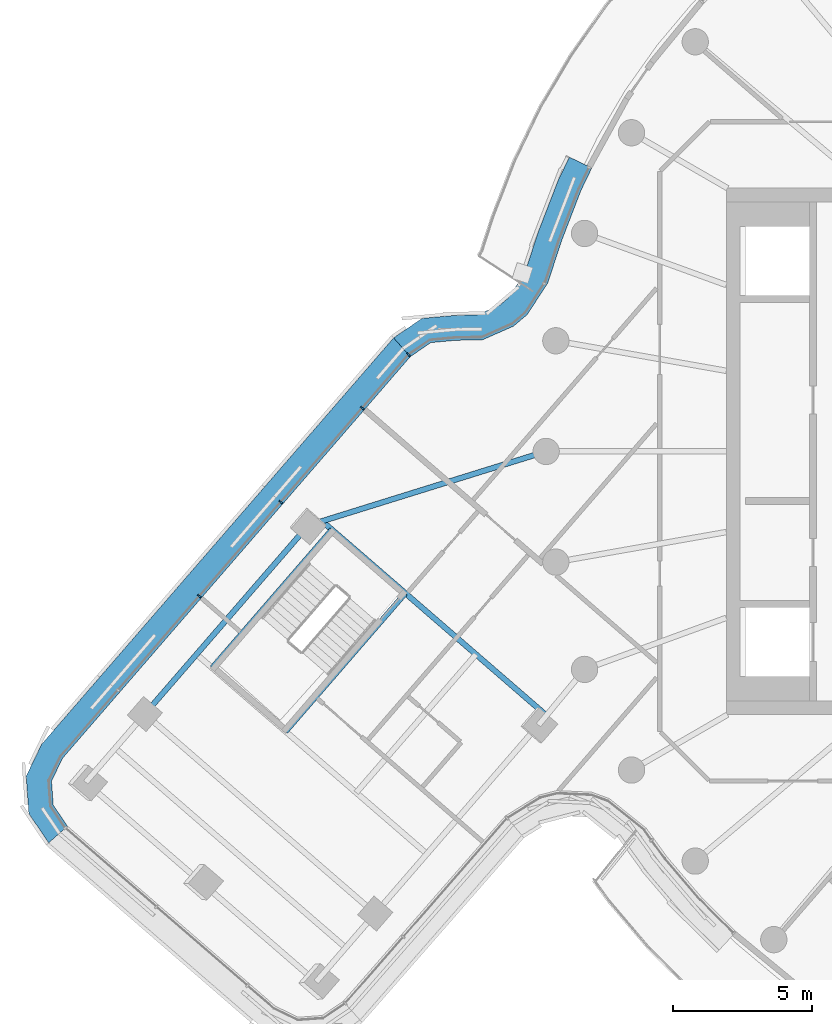
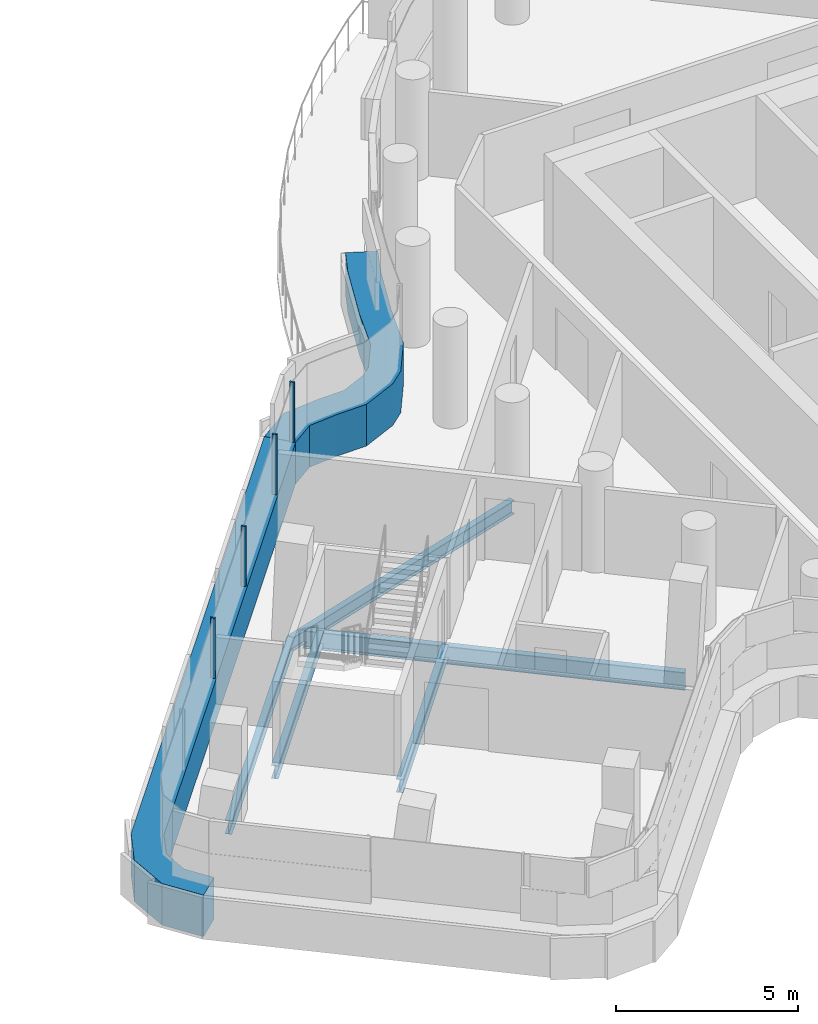
# One storey, part 9 of 32: 6 members, 5 beams, 2 elements without a shape of their own.
"""IFC4 building model written with IfcOpenShell, lengths in metres."""

from ifc_helpers import new_model, si_unit, direction, frame, origin, origin_2d, place, context, subcontext, project, spatial, polyline, rectangle, i_section, outline, extrude, material, layer, layer_set, material_profile, profile_set, type_object, element, aggregate, save


model = new_model("IFC4")

# Units and contexts
model_context = context("Model", 3, precision=1e-05, world=origin(), true_north=direction((0.0, 1.0)))
body_context = subcontext(model_context, "Body", "Model", "MODEL_VIEW")
ifc_project = project(units=[si_unit("LENGTHUNIT", "METRE"), si_unit("AREAUNIT", "SQUARE_METRE"), si_unit("VOLUMEUNIT", "CUBIC_METRE"), si_unit("PLANEANGLEUNIT", "RADIAN"), si_unit("MASSUNIT", "GRAM", prefix="KILO")], contexts=[model_context])

# Site, building, storey
site_placement = place(None, origin())
site = spatial("IfcSite", under=ifc_project, at=site_placement, CompositionType="ELEMENT")
building_placement = place(site_placement, origin())
building = spatial("IfcBuilding", under=site, at=building_placement, Name="Tamarind Cross Interchange Tower", CompositionType="ELEMENT")
storey_placement = place(building_placement, frame((0.0, 0.0, 211.300048828125)))
storey = spatial("IfcBuildingStorey", under=building, at=storey_placement, Name="L53", CompositionType="ELEMENT", Elevation=211.300048828125)

# Beams
ifc_material_1 = material(Name="Steel Q355B", Category="steel")
ifc_material_profile_1 = material_profile(ifc_material_1, i_section(OverallWidth=0.198974609375, OverallDepth=0.446044921875, WebThickness=0.008056640625, FlangeThickness=0.011962890625, FilletRadius=0.012939453125, at=origin_2d()), Name="HN 446x199x8x12")
ifc_profile_set_1 = profile_set([ifc_material_profile_1], Name="Steel Q355B")
beam_type_1 = type_object("IfcBeamType", Name="Composite beam HN 446x199x8x12 Q355B", PredefinedType="BEAM", material=ifc_profile_set_1)
beam_1_placement = place(storey_placement, frame((-37.4833984375, -9.476806640625, -0.363037109375), z_axis=(0.654660957097, 0.755922635759, 0.0), x_axis=(-0.755922635759, 0.654660957097, 0.0)))
element("IfcBeam", 1, at=beam_1_placement, inside=storey, type_object=beam_type_1, Name="Beam W-edgeem6", PredefinedType="BEAM", context=body_context, shape_type="SweptSolid", body=[
    extrude(i_section(OverallWidth=0.198974609375, OverallDepth=0.446044921875, WebThickness=0.008056640625, FlangeThickness=0.011962890625, FilletRadius=0.012939453125, at=origin_2d()), origin(), (0.0, 0.0, 1.0), 9.000244140625),
])
beam_2_placement = place(storey_placement, frame((-31.59130859375, -2.67333984375, -0.363037109375), z_axis=(0.95484138167, 0.297116030954, 0.0), x_axis=(-0.297116030954, 0.95484138167, 0.0)))
element("IfcBeam", 2, at=beam_2_placement, inside=storey, type_object=beam_type_1, Name="Beam W-linkem", PredefinedType="BEAM", context=body_context, shape_type="SweptSolid", body=[
    extrude(i_section(OverallWidth=0.198974609375, OverallDepth=0.446044921875, WebThickness=0.008056640625, FlangeThickness=0.011962890625, FilletRadius=0.012939453125, at=origin_2d()), origin(), (0.0, 0.0, 1.0), 8.99755859375),
])
for number, where, z_axis, x_axis, name in (
    (3, (-30.729736328125, -2.82421875, -0.363037109375), (-0.654669965144, -0.755914834316, 0.0), (0.755914834316, -0.654669965144, 0.0), "Beam W-tr0"),
    (4, (-28.083984375, -5.11572265625, -0.363037109375), (-0.654669965144, -0.755914834316, 0.0), (0.755914834316, -0.654669965144, 0.0), "Beam W-tr1"),
):
    element("IfcBeam", number, at=place(storey_placement, frame(where, z_axis=z_axis, x_axis=x_axis)), inside=storey, type_object=beam_type_1, Name=name, PredefinedType="BEAM", context=body_context, shape_type="SweptSolid", body=[
        extrude(i_section(OverallWidth=0.198974609375, OverallDepth=0.446044921875, WebThickness=0.008056640625, FlangeThickness=0.011962890625, FilletRadius=0.012939453125, at=origin_2d()), origin(), (0.0, 0.0, 1.0), 6.599853515625),
    ])
ifc_material_profile_2 = material_profile(ifc_material_1, i_section(OverallWidth=0.198974609375, OverallDepth=0.595947265625, WebThickness=0.010009765625, FlangeThickness=0.014892578125, FilletRadius=0.012939453125, at=origin_2d()), Name="HN 596x199x10x15")
ifc_profile_set_2 = profile_set([ifc_material_profile_2], Name="Steel Q355B")
beam_type_2 = type_object("IfcBeamType", Name="Composite beam HN 596x199x10x15 Q355B", PredefinedType="BEAM", material=ifc_profile_set_2)
beam_3_placement = place(storey_placement, frame((-31.085693359375, -2.51611328125, -0.43798828125), z_axis=(0.755927440048, -0.654655409649, 0.0), x_axis=(0.654655409649, 0.755927440048, 0.0)))
element("IfcBeam", 5, at=beam_3_placement, inside=storey, type_object=beam_type_2, Name="Beam W-x298", PredefinedType="BEAM", context=body_context, shape_type="SweptSolid", body=[
    extrude(i_section(OverallWidth=0.198974609375, OverallDepth=0.595947265625, WebThickness=0.010009765625, FlangeThickness=0.014892578125, FilletRadius=0.012939453125, at=origin_2d()), origin(), (0.0, 0.0, 1.0), 10.7109375),
])

# Curtain wall, member
ifc_material_2 = material(Name="Aluminium 6063-T6", Category="aluminium")
ifc_layer = layer(ifc_material_2, 0.139892578125)
ifc_layer_set = layer_set([ifc_layer], Name="Aluminium 6063-T6")
curtain_wall_type = type_object("IfcCurtainWallType", Name="Hotel curtain wall, 4.5 m bays", PredefinedType="NOTDEFINED", material=ifc_layer_set)
curtain_wall_1_placement = place(storey_placement, origin())
curtain_wall_1 = element("IfcCurtainWall", 6, at=curtain_wall_1_placement, inside=storey, type_object=curtain_wall_type, Name="CWS-L53-10", PredefinedType="NOTDEFINED")
ifc_material_3 = material(Name="Aluminium and insulated spandrel panel", Category="aluminium")
member_type_1 = type_object("IfcMemberType", Name="Floor-edge blade transom", PredefinedType="USERDEFINED", material=ifc_material_3)
member_1_placement = place(storey_placement, origin())
member_1 = element("IfcMember", 7, at=member_1_placement, type_object=member_type_1, Name="CWT-L53-10-1", ObjectType="TRANSOM", PredefinedType="USERDEFINED", context=body_context, shape_type="SweptSolid", body=[
    extrude(outline(polyline([(-21.3505859375, 10.23193359375), (-21.74072265625, 9.425048828125), (-22.4462890625, 7.59326171875), (-22.9423828125, 6.074462890625), (-23.68408203125, 4.938232421875), (-24.17578125, 4.520751953125), (-25.303466796875, 4.0244140625), (-26.250244140625, 4.01025390625), (-27.16552734375, 3.92578125), (-27.901123046875, 3.42041015625), (-28.505859375, 4.096923828125), (-27.48193359375, 4.800537109375), (-26.29833984375, 4.90966796875), (-25.4990234375, 4.921630859375), (-24.658447265625, 5.291748046875), (-24.3662109375, 5.53955078125), (-23.760986328125, 6.466796875), (-23.294677734375, 7.894775390625), (-22.567138671875, 9.783203125), (-22.162109375, 10.620849609375), (-21.3505859375, 10.23193359375)])), origin(), (0.0, 0.0, 1.0), 1.39990234375),
])
aggregate(curtain_wall_1, [member_1])

# Curtain wall, members
curtain_wall_2_placement = place(storey_placement, origin())
curtain_wall_2 = element("IfcCurtainWall", 8, at=curtain_wall_2_placement, inside=storey, type_object=curtain_wall_type, Name="CWS-L53-11", PredefinedType="NOTDEFINED")
member_2_placement = place(storey_placement, origin())
member_2 = element("IfcMember", 9, at=member_2_placement, type_object=member_type_1, Name="CWT-L53-11", ObjectType="TRANSOM", PredefinedType="USERDEFINED", context=body_context, shape_type="SweptSolid", body=[
    extrude(outline(polyline([(-27.901123046875, 3.42041015625), (-40.450439453125, -11.06982421875), (-40.850341796875, -11.893310546875), (-40.78759765625, -12.765625), (-40.2744140625, -13.523681640625), (-40.953125, -14.126220703125), (-41.668212890625, -13.070556640625), (-41.76513671875, -11.71728515625), (-41.20849609375, -10.5703125), (-28.505859375, 4.096923828125), (-27.901123046875, 3.42041015625)])), origin(), (0.0, 0.0, 1.0), 1.39990234375),
])
ifc_material_profile_3 = material_profile(ifc_material_2, rectangle(XDim=0.06005859375, YDim=0.139892578125, at=origin_2d()), Name="Mullion CW2")
ifc_profile_set_3 = profile_set([ifc_material_profile_3], Name="Aluminium 6063-T6")
member_type_2 = type_object("IfcMemberType", Name="Mullion CW2", PredefinedType="MULLION", material=ifc_profile_set_3)
member_3_placement = place(storey_placement, frame((-27.96826171875, 3.49560546875, 1.39990234375), z_axis=(0.0, 0.0, 1.0), x_axis=(-0.74547981617, -0.666528201716, 0.0)))
member_3 = element("IfcMember", 10, at=member_3_placement, type_object=member_type_2, Name="CWM-L53-11-00", PredefinedType="MULLION", context=body_context, shape_type="SweptSolid", body=[
    extrude(rectangle(XDim=0.06005859375, YDim=0.139892578125, at=origin_2d()), origin(), (0.0, 0.0, 1.0), 2.02001953125),
])
member_4_placement = place(storey_placement, frame((-29.64013671875, 1.565185546875, 1.39990234375), z_axis=(0.0, 0.0, 1.0), x_axis=(-0.654666934653, -0.755917458902, 0.0)))
member_4 = element("IfcMember", 11, at=member_4_placement, type_object=member_type_2, Name="CWM-L53-11-01", PredefinedType="MULLION", context=body_context, shape_type="SweptSolid", body=[
    extrude(rectangle(XDim=0.06005859375, YDim=0.139892578125, at=origin_2d()), origin(), (0.0, 0.0, 1.0), 2.02001953125),
])
member_5_placement = place(storey_placement, frame((-32.578369140625, -1.827392578125, 1.39990234375), z_axis=(0.0, 0.0, 1.0), x_axis=(-0.654666934653, -0.755917458902, 0.0)))
member_5 = element("IfcMember", 12, at=member_5_placement, type_object=member_type_2, Name="CWM-L53-11-02", PredefinedType="MULLION", context=body_context, shape_type="SweptSolid", body=[
    extrude(rectangle(XDim=0.06005859375, YDim=0.139892578125, at=origin_2d()), origin(), (0.0, 0.0, 1.0), 2.02001953125),
])
member_6_placement = place(storey_placement, frame((-35.516357421875, -5.2197265625, 1.39990234375), z_axis=(0.0, 0.0, 1.0), x_axis=(-0.654666934653, -0.755917458902, 0.0)))
member_6 = element("IfcMember", 13, at=member_6_placement, type_object=member_type_2, Name="CWM-L53-11-03", PredefinedType="MULLION", context=body_context, shape_type="SweptSolid", body=[
    extrude(rectangle(XDim=0.06005859375, YDim=0.139892578125, at=origin_2d()), origin(), (0.0, 0.0, 1.0), 2.02001953125),
])
aggregate(curtain_wall_2, [member_3, member_4, member_5, member_6, member_2])

save(model, "model.ifc")
